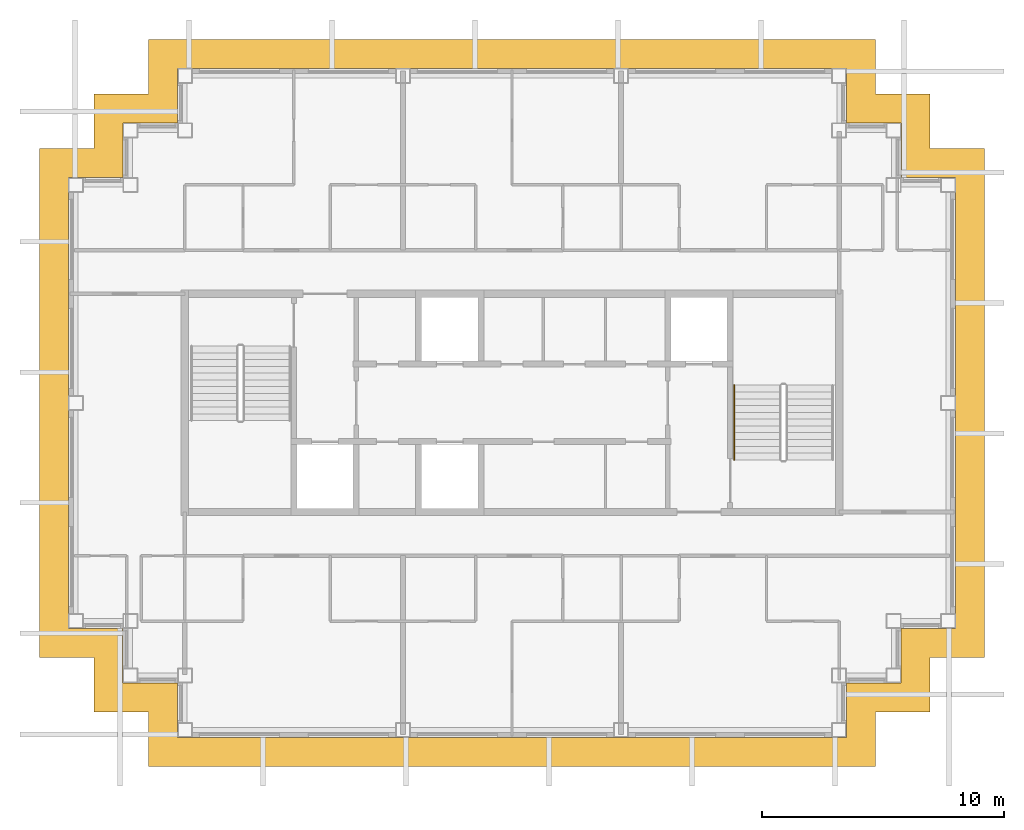
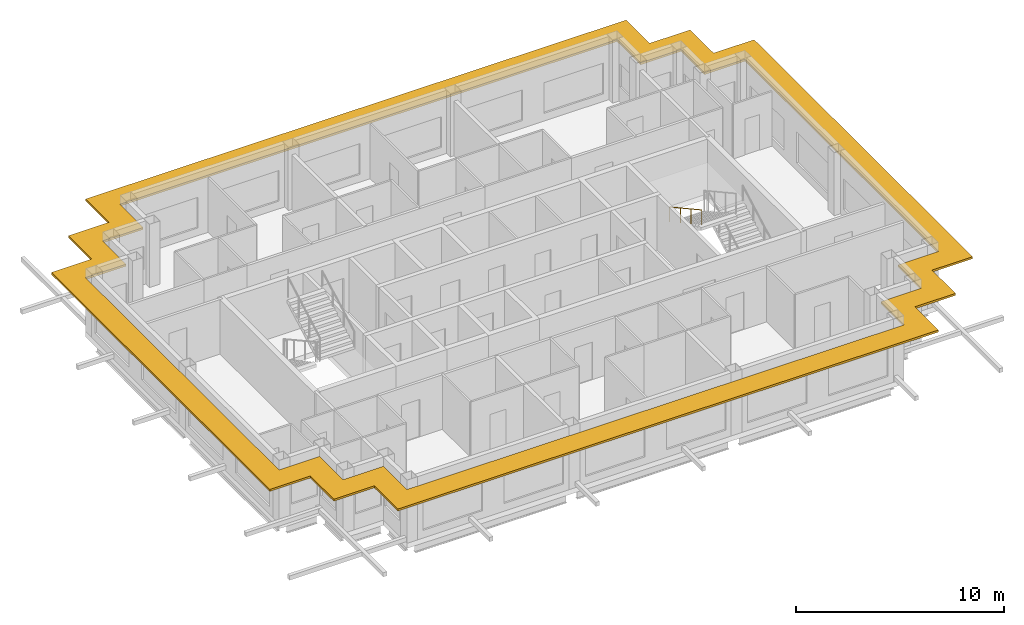
# One storey, part 10 of 11: 1 railing, 1 shading device.
"""IFC4 building model written with IfcOpenShell, lengths in metres."""

from ifc_helpers import new_model, si_unit, direction, frame, origin, origin_2d, place, context, subcontext, project, spatial, polyline, circle, outline, extrude, material, layer, layer_set, type_object, element, save


model = new_model("IFC4")

# Units and contexts
model_context = context("Model", 3, precision=1e-05, world=origin(), true_north=direction((0.0, 1.0)))
body_context = subcontext(model_context, "Body", "Model", "MODEL_VIEW")
ifc_project = project(units=[si_unit("LENGTHUNIT", "METRE"), si_unit("AREAUNIT", "SQUARE_METRE"), si_unit("VOLUMEUNIT", "CUBIC_METRE"), si_unit("PLANEANGLEUNIT", "RADIAN"), si_unit("MASSUNIT", "GRAM", prefix="KILO")], contexts=[model_context])

# Site, building, storey
site_placement = place(None, origin())
site = spatial("IfcSite", under=ifc_project, at=site_placement, CompositionType="ELEMENT")
building_placement = place(site_placement, origin())
building = spatial("IfcBuilding", under=site, at=building_placement, Name="Caravel Reach Hotel and Residences", CompositionType="ELEMENT")
storey_placement = place(building_placement, frame((0.0, 0.0, 301.89990234375)))
storey = spatial("IfcBuildingStorey", under=building, at=storey_placement, Name="L77", CompositionType="ELEMENT", Elevation=301.89990234375)

# Railing
ifc_material_1 = material(Name="Stainless steel handrail", Category="steel")
railing_type = type_object("IfcRailingType", Name="Handrail 900", PredefinedType="HANDRAIL", material=ifc_material_1)
railing_placement = place(storey_placement, frame((40.675048828125, 27.72998046875, 2.004150390625)))
element("IfcRailing", 1, at=railing_placement, inside=storey, type_object=railing_type, Name="L77 ST-B stair handrail 2", PredefinedType="HANDRAIL", context=body_context, shape_type="SweptSolid", body=[
    extrude(circle(Radius=0.02392578125, at=origin_2d()), frame((0.0, 0.0, 0.8759765625), z_axis=(0.0, -0.875975380505, 0.482355815502), x_axis=(1.0, 0.0, 0.0)), (0.0, 0.0, 1.0), 3.51611328125),
    extrude(circle(Radius=0.02099609375, at=origin_2d()), origin(), (0.0, 0.0, 1.0), 0.851806640625),
    extrude(circle(Radius=0.02099609375, at=origin_2d()), frame((0.0, -1.026611328125, 0.5654296875)), (0.0, 0.0, 1.0), 0.851806640625),
    extrude(circle(Radius=0.02099609375, at=origin_2d()), frame((0.0, -2.053466796875, 1.130615234375)), (0.0, 0.0, 1.0), 0.851806640625),
    extrude(circle(Radius=0.02099609375, at=origin_2d()), frame((0.0, -3.080078125, 1.696044921875)), (0.0, 0.0, 1.0), 0.851806640625),
])

# Shading device
ifc_material_2 = material(Name="Black powder-coated aluminium", Category="aluminium")
ifc_layer = layer(ifc_material_2, 0.1201171875)
ifc_layer_set = layer_set([ifc_layer], Name="SS1 Sunshade band 1200")
shading_device_type = type_object("IfcShadingDeviceType", Name="SS1 Sunshade band 1200", PredefinedType="USERDEFINED", material=ifc_layer_set)
shading_device_placement = place(storey_placement, frame((0.0, 0.0, 3.0400390625)))
element("IfcShadingDevice", 2, at=shading_device_placement, inside=storey, type_object=shading_device_type, Name="Sunshade L77 1", ObjectType="SUNSHADE", PredefinedType="USERDEFINED", context=body_context, shape_type="SweptSolid", body=[
    extrude(outline(polyline([(16.5, 12.0), (46.5, 12.0), (46.5, 14.25), (48.75, 14.25), (48.75, 16.5), (51.0, 16.5), (51.0, 37.5), (48.75, 37.5), (48.75, 39.75), (46.5, 39.75), (46.5, 42.0), (16.5, 42.0), (16.5, 39.75), (14.25, 39.75), (14.25, 37.5), (12.0, 37.5), (12.0, 16.5), (14.25, 16.5), (14.25, 14.25), (16.5, 14.25), (16.5, 12.0)]), holes=[polyline([(45.300048828125, 15.449951171875), (45.300048828125, 13.199951171875), (17.699951171875, 13.199951171875), (17.699951171875, 15.449951171875), (15.449951171875, 15.449951171875), (15.449951171875, 17.699951171875), (13.199951171875, 17.699951171875), (13.199951171875, 36.300048828125), (15.449951171875, 36.300048828125), (15.449951171875, 38.550048828125), (17.699951171875, 38.550048828125), (17.699951171875, 40.800048828125), (45.300048828125, 40.800048828125), (45.300048828125, 38.550048828125), (47.550048828125, 38.550048828125), (47.550048828125, 36.300048828125), (49.800048828125, 36.300048828125), (49.800048828125, 17.699951171875), (47.550048828125, 17.699951171875), (47.550048828125, 15.449951171875), (45.300048828125, 15.449951171875)])]), origin(), (0.0, 0.0, 1.0), 0.1201171875),
])

save(model, "model.ifc")
